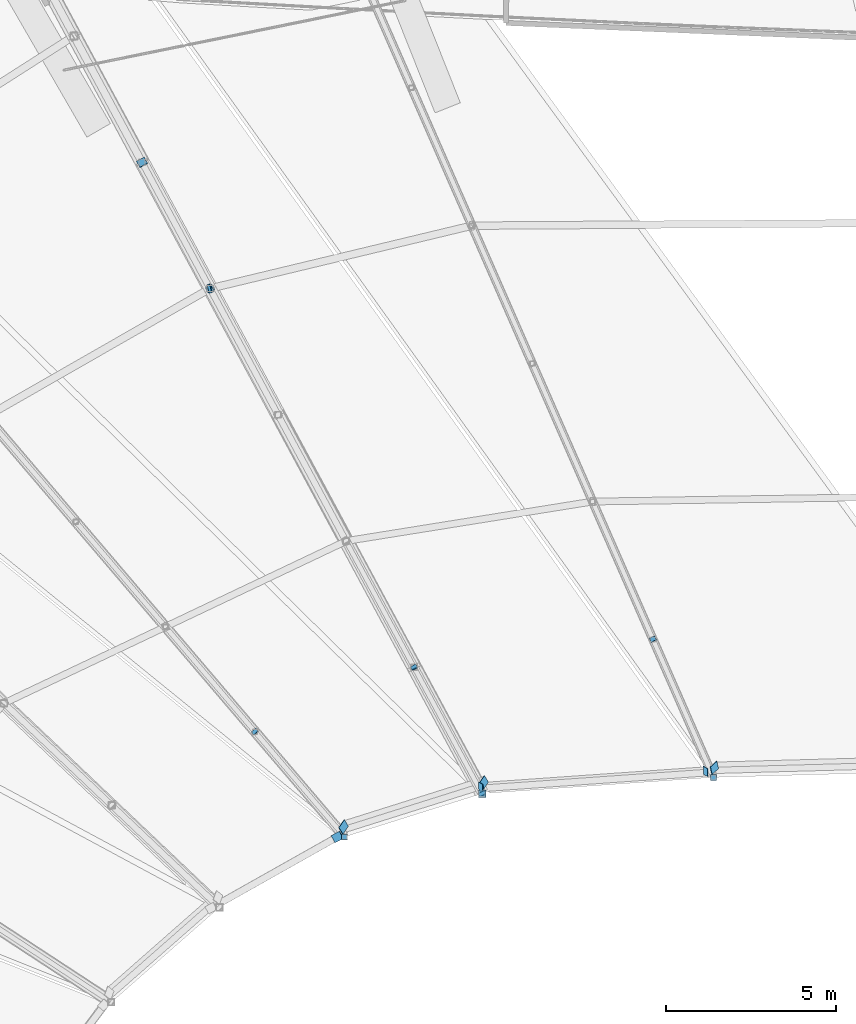
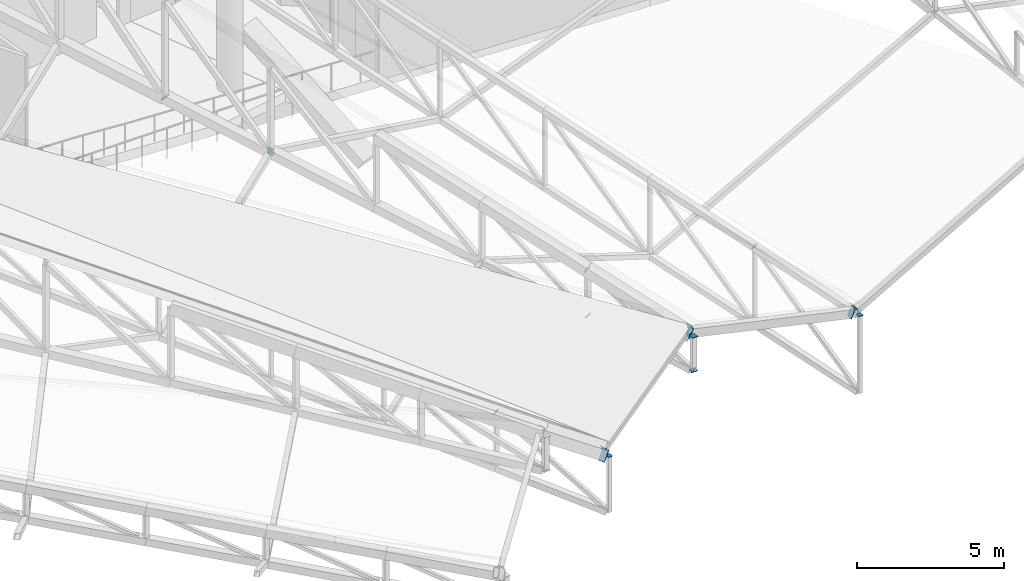
# One storey, part 318 of 344: 19 discrete accessories.
"""IFC4 building model written with IfcOpenShell, lengths in metres."""

from ifc_helpers import new_model, si_unit, direction, frame, origin, origin_2d, place, context, subcontext, project, spatial, rectangle, extrude, material, material_profile, profile_set, type_object, element, save


model = new_model("IFC4")

# Units and contexts
model_context = context("Model", 3, precision=1e-05, world=origin(), true_north=direction((0.0, 1.0)))
body_context = subcontext(model_context, "Body", "Model", "MODEL_VIEW")
ifc_project = project(units=[si_unit("LENGTHUNIT", "METRE"), si_unit("AREAUNIT", "SQUARE_METRE"), si_unit("VOLUMEUNIT", "CUBIC_METRE"), si_unit("PLANEANGLEUNIT", "RADIAN"), si_unit("MASSUNIT", "GRAM", prefix="KILO")], contexts=[model_context])

# Site, building, storey
site_placement = place(None, origin())
site = spatial("IfcSite", under=ifc_project, at=site_placement, CompositionType="ELEMENT")
building_placement = place(site_placement, origin())
building = spatial("IfcBuilding", under=site, at=building_placement, Name="Meseta Stadium", CompositionType="ELEMENT")
storey_placement = place(building_placement, frame((0.0, 0.0, 24.0)))
storey = spatial("IfcBuildingStorey", under=building, at=storey_placement, Name="L04", CompositionType="ELEMENT", Elevation=24.0)

# Discrete accessories
ifc_material_1 = material(Name="Steel S355", Category="steel")
ifc_material_profile_1 = material_profile(ifc_material_1, rectangle(XDim=0.179931640625, YDim=0.179931640625, at=origin_2d()), Name="PL 180x180")
ifc_profile_set_1 = profile_set([ifc_material_profile_1], Name="Steel S355")
discrete_accessory_type_1 = type_object("IfcDiscreteAccessoryType", Name="End plate 180x180x20", PredefinedType="ANCHORPLATE", material=ifc_profile_set_1)
discrete_accessory_1_placement = place(storey_placement, frame((-23.879638671875, 65.576904296875, 1.544677734375), z_axis=(0.0, 0.0, 1.0), x_axis=(1.0, 0.0, 0.0)))
element("IfcDiscreteAccessory", 1, at=discrete_accessory_1_placement, inside=storey, type_object=discrete_accessory_type_1, Name="End plate of ROOF TRUSS RT-21 post", PredefinedType="ANCHORPLATE", context=body_context, shape_type="SweptSolid", body=[
    extrude(rectangle(XDim=0.179931640625, YDim=0.179931640625, at=origin_2d()), origin(), (0.0, 0.0, 1.0), 0.02001953125),
])
discrete_accessory_2_placement = place(storey_placement, frame((-25.65478515625, 69.6328125, 2.543701171875), z_axis=(-0.294794917616, 0.663288564635, 0.68785480777), x_axis=(-0.91381154862, -0.406138466053, 0.0)))
element("IfcDiscreteAccessory", 2, at=discrete_accessory_2_placement, inside=storey, type_object=discrete_accessory_type_1, Name="End plate of ROOF TRUSS RT-21 diagonal", PredefinedType="ANCHORPLATE", context=body_context, shape_type="SweptSolid", body=[
    extrude(rectangle(XDim=0.179931640625, YDim=0.179931640625, at=origin_2d()), origin(), (0.0, 0.0, 1.0), 0.019775390625),
])
for number, where, z_axis, x_axis, name in (
    (3, (-30.674072265625, 65.08544921875, 1.933837890625), (-0.404398403532, 0.74752432168, 0.526943374299), (-0.879543446111, -0.475818585601, 0.0), "End plate of ROOF TRUSS RT-22 diagonal"),
    (4, (-32.68212890625, 68.813232421875, 4.560791015625), (-0.401782273078, 0.742688444175, 0.535709697438), (-0.879543446111, -0.475818585601, 0.0), "End plate of ROOF TRUSS RT-22 diagonal"),
    (5, (-32.674560546875, 68.799072265625, 2.64599609375), (-0.377992569235, 0.707211903729, 0.597472125565), (-0.881931668673, -0.471377271187, 0.0), "End plate of ROOF TRUSS RT-22 diagonal"),
    (6, (-34.722412109375, 63.827392578125, 0.56640625), (0.0, 0.0, 1.0), (1.0, 0.0, 0.0), "End plate of ROOF TRUSS RT-23 post"),
    (7, (-37.35693359375, 66.916748046875, 1.43896484375), (-0.514457157149, 0.600200016674, 0.612448996606), (-0.759256602365, -0.650791373456, 0.0), "End plate of ROOF TRUSS RT-23 diagonal"),
):
    element("IfcDiscreteAccessory", number, at=place(storey_placement, frame(where, z_axis=z_axis, x_axis=x_axis)), inside=storey, type_object=discrete_accessory_type_1, Name=name, PredefinedType="ANCHORPLATE", context=body_context, shape_type="SweptSolid", body=[
        extrude(rectangle(XDim=0.179931640625, YDim=0.179931640625, at=origin_2d()), origin(), (0.0, 0.0, 1.0), 0.02001953125),
    ])
ifc_material_2 = material(Name="Steel S355", Category="steel")
ifc_material_profile_2 = material_profile(ifc_material_2, rectangle(XDim=0.219970703125, YDim=0.219970703125, at=origin_2d()), Name="PL 220x220")
ifc_profile_set_2 = profile_set([ifc_material_profile_2], Name="Steel S355")
discrete_accessory_type_2 = type_object("IfcDiscreteAccessoryType", Name="End plate 220x220x20", PredefinedType="ANCHORPLATE", material=ifc_profile_set_2)
for number, where, z_axis, x_axis, name in (
    (8, (-30.68212890625, 65.100341796875, 1.92431640625), (0.0, 0.0, 1.0), (1.0, 0.0, 0.0), "End plate of ROOF TRUSS RT-22 post"),
    (9, (-30.68212890625, 65.100341796875, 3.344482421875), (0.0, 0.0, 1.0), (1.0, 0.0, 0.0), "End plate of ROOF TRUSS RT-22 post"),
    (10, (-38.676025390625, 79.940185546875, 4.783935546875), (-0.315342689883, 0.594299684779, 0.739842464724), (-0.883349020695, -0.468715806899, 0.0), "End plate of ROOF TRUSS RT-22 diagonal"),
):
    element("IfcDiscreteAccessory", number, at=place(storey_placement, frame(where, z_axis=z_axis, x_axis=x_axis)), inside=storey, type_object=discrete_accessory_type_2, Name=name, PredefinedType="ANCHORPLATE", context=body_context, shape_type="SweptSolid", body=[
        extrude(rectangle(XDim=0.219970703125, YDim=0.219970703125, at=origin_2d()), origin(), (0.0, 0.0, 1.0), 0.02001953125),
    ])
ifc_material_3 = material(Name="Steel S355", Category="steel")
ifc_material_profile_3 = material_profile(ifc_material_3, rectangle(XDim=0.239990234375, YDim=0.43994140625, at=origin_2d()), Name="PL 240x440")
ifc_profile_set_3 = profile_set([ifc_material_profile_3], Name="Steel S355")
discrete_accessory_type_3 = type_object("IfcDiscreteAccessoryType", Name="End plate 240x440x20", PredefinedType="ANCHORPLATE", material=ifc_profile_set_3)
for number, where, z_axis, x_axis, name in (
    (11, (-23.844970703125, 65.859130859375, 1.60595703125), (-0.879029804347, -0.024417494565, -0.476141144021), (0.205226203448, -0.920806703528, -0.331658288237), "End plate of TIP RING BEAM 21"),
    (12, (-24.09521484375, 65.7529296875, 1.63134765625), (-0.960774843836, -0.072970241304, 0.267557551448), (0.025232067078, -0.983762477516, -0.177692798452), "End plate of TIP RING BEAM 22"),
    (13, (-30.703125, 65.289794921875, 3.4228515625), (-0.964634828249, -0.061052837231, 0.25642191637), (0.014887423056, -0.983872550027, -0.178250301368), "End plate of TIP RING BEAM 22"),
    (14, (-30.629638671875, 65.419189453125, 3.503662109375), (-0.804339928716, -0.255926340955, -0.536226619144), (0.479488877198, -0.812557750961, -0.331421661929), "End plate of TIP RING BEAM 23"),
    (15, (-34.74951171875, 64.12109375, 0.689208984375), (-0.794635277929, -0.256728320562, -0.550132115489), (0.488286411456, -0.808742860143, -0.327889259592), "End plate of TIP RING BEAM 23"),
    (16, (-34.927978515625, 63.830078125, 0.6533203125), (-0.684251023036, -0.378781816324, 0.623157181694), (0.480605011645, -0.87692112243, -0.005307336141), "End plate of TIP RING BEAM 24"),
):
    element("IfcDiscreteAccessory", number, at=place(storey_placement, frame(where, z_axis=z_axis, x_axis=x_axis)), inside=storey, type_object=discrete_accessory_type_3, Name=name, PredefinedType="ANCHORPLATE", context=body_context, shape_type="SweptSolid", body=[
        extrude(rectangle(XDim=0.239990234375, YDim=0.43994140625, at=origin_2d()), origin(), (0.0, 0.0, 1.0), 0.02001953125),
    ])
ifc_material_4 = material(Name="Steel S355", Category="steel")
ifc_material_profile_4 = material_profile(ifc_material_4, rectangle(XDim=0.260009765625, YDim=0.260009765625, at=origin_2d()), Name="PL 260x260")
ifc_profile_set_4 = profile_set([ifc_material_profile_4], Name="Steel S355")
discrete_accessory_type_4 = type_object("IfcDiscreteAccessoryType", Name="End plate 260x260x20", PredefinedType="ANCHORPLATE", material=ifc_profile_set_4)
discrete_accessory_3_placement = place(storey_placement, frame((-40.67626953125, 83.65380859375, 5.496826171875), z_axis=(-0.302348082555, 0.556320471901, 0.774011091341), x_axis=(-0.878624509573, -0.47751332042, 0.0)))
element("IfcDiscreteAccessory", 17, at=discrete_accessory_3_placement, inside=storey, type_object=discrete_accessory_type_4, Name="End plate of ROOF TRUSS RT-22 diagonal", PredefinedType="ANCHORPLATE", context=body_context, shape_type="SweptSolid", body=[
    extrude(rectangle(XDim=0.260009765625, YDim=0.260009765625, at=origin_2d()), origin(), (0.0, 0.0, 1.0), 0.020263671875),
])
discrete_accessory_4_placement = place(storey_placement, frame((-38.682373046875, 79.9521484375, 4.798828125), z_axis=(-0.927588314092, -0.231897078523, 0.292922625503), x_axis=(0.242535625036, -0.970142500145, 0.0)))
element("IfcDiscreteAccessory", 18, at=discrete_accessory_4_placement, inside=storey, type_object=discrete_accessory_type_4, Name="End plate of ROOF TRUSS STRUT RT-21/22", PredefinedType="ANCHORPLATE", context=body_context, shape_type="SweptSolid", body=[
    extrude(rectangle(XDim=0.260009765625, YDim=0.260009765625, at=origin_2d()), origin(), (0.0, 0.0, 1.0), 0.02001953125),
])
discrete_accessory_5_placement = place(storey_placement, frame((-38.666259765625, 79.961181640625, 4.80615234375), z_axis=(-0.810869554221, -0.454578386457, -0.3685770701), x_axis=(0.489005764337, -0.872280552601, 0.0)))
element("IfcDiscreteAccessory", 19, at=discrete_accessory_5_placement, inside=storey, type_object=discrete_accessory_type_4, Name="End plate of ROOF TRUSS STRUT RT-22/23", PredefinedType="ANCHORPLATE", context=body_context, shape_type="SweptSolid", body=[
    extrude(rectangle(XDim=0.260009765625, YDim=0.260009765625, at=origin_2d()), origin(), (0.0, 0.0, 1.0), 0.019775390625),
])

save(model, "model.ifc")
